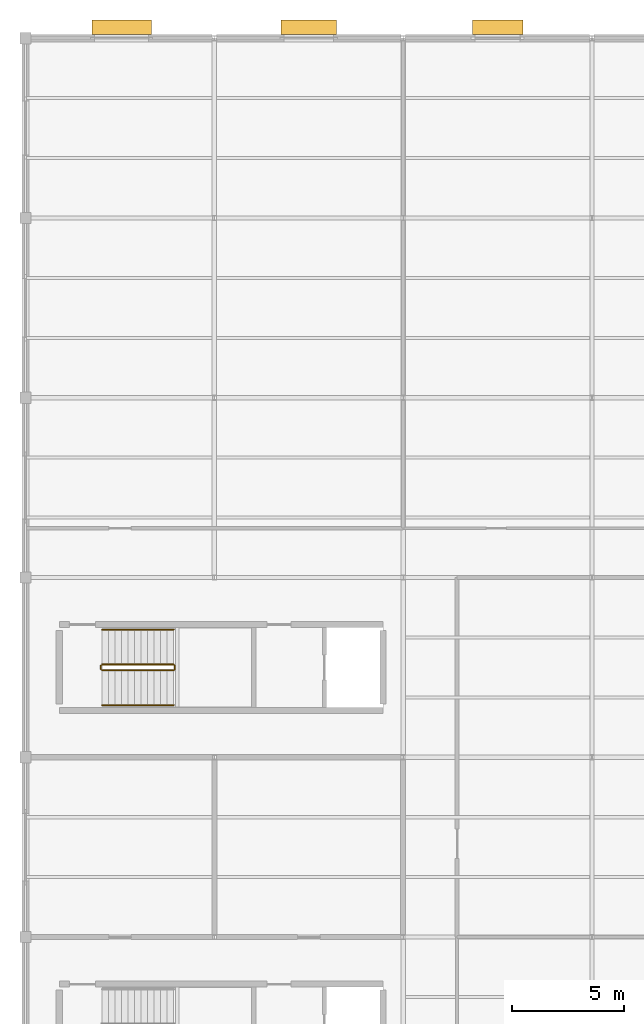
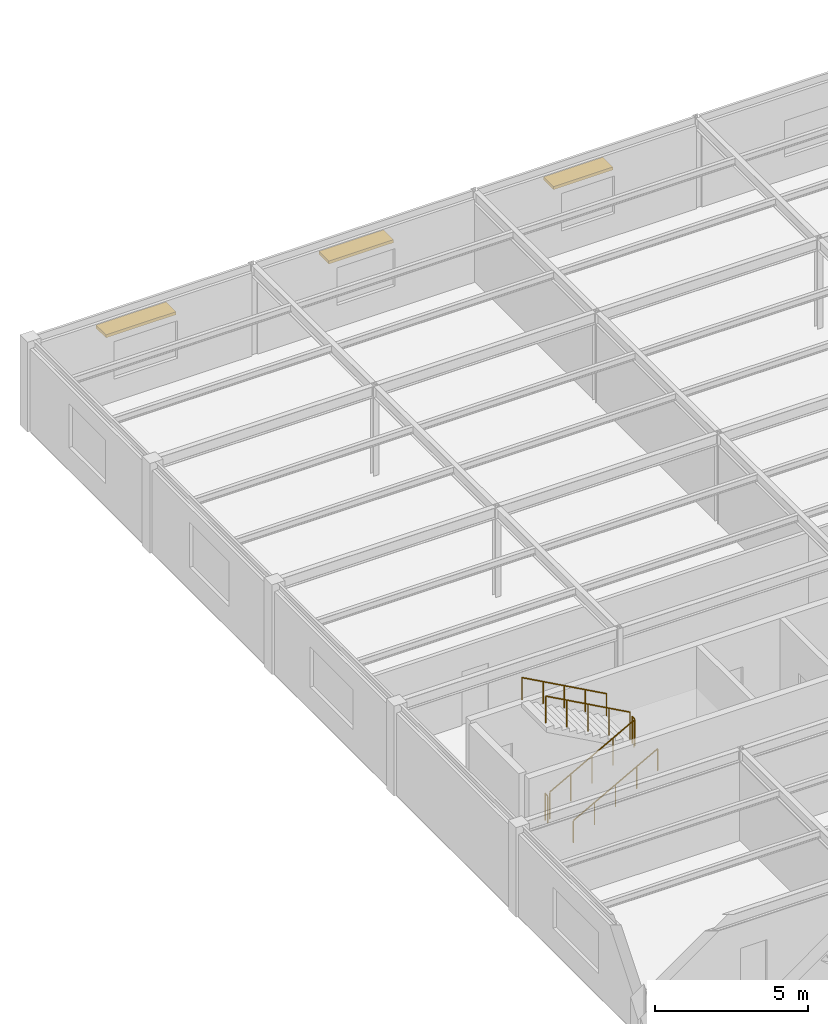
# One storey, part 31 of 32: 6 railings, 3 shading devices.
"""IFC4 building model written with IfcOpenShell, lengths in metres."""

from ifc_helpers import new_model, si_unit, direction, frame, origin, origin_2d, place, context, subcontext, project, spatial, rectangle, circle, extrude, material, type_object, element, save


model = new_model("IFC4")

# Units and contexts
model_context = context("Model", 3, precision=1e-05, world=origin(), true_north=direction((0.0, 1.0)))
body_context = subcontext(model_context, "Body", "Model", "MODEL_VIEW")
ifc_project = project(units=[si_unit("LENGTHUNIT", "METRE"), si_unit("AREAUNIT", "SQUARE_METRE"), si_unit("VOLUMEUNIT", "CUBIC_METRE"), si_unit("PLANEANGLEUNIT", "RADIAN"), si_unit("MASSUNIT", "GRAM", prefix="KILO")], contexts=[model_context])

# Site, building, storey
site_placement = place(None, origin())
site = spatial("IfcSite", under=ifc_project, at=site_placement, CompositionType="ELEMENT")
building_placement = place(site_placement, origin())
building = spatial("IfcBuilding", under=site, at=building_placement, Name="Kranzveld Transit Interchange", CompositionType="ELEMENT")
storey_placement = place(building_placement, frame((0.0, 0.0, 17.199951171875)))
storey = spatial("IfcBuildingStorey", under=building, at=storey_placement, Name="L04", CompositionType="ELEMENT", Elevation=17.199951171875)

# Shading devices
ifc_material_1 = material(Name="Bronze-anodised thermally broken aluminium", Category="aluminium")
shading_device_type = type_object("IfcShadingDeviceType", Name="North Overhang Solar Louvre Brise-Soleil", PredefinedType="JALOUSIE", material=ifc_material_1)
shading_device_1_placement = place(storey_placement, frame((4.2734375, 112.485107421875, 2.39990234375), z_axis=(0.0, 0.0, 1.0), x_axis=(1.0, 0.0, 0.0)))
element("IfcShadingDevice", 1, at=shading_device_1_placement, inside=storey, type_object=shading_device_type, Name="L04 North Solar Louvre 01/Q", PredefinedType="JALOUSIE", context=body_context, shape_type="SweptSolid", body=[
    extrude(rectangle(XDim=2.64990234375, YDim=0.64990234375, at=origin_2d()), origin(), (0.0, 0.0, 1.0), 0.1201171875),
])
shading_device_2_placement = place(storey_placement, frame((12.60009765625, 112.485107421875, 2.39990234375), z_axis=(0.0, 0.0, 1.0), x_axis=(1.0, 0.0, 0.0)))
element("IfcShadingDevice", 2, at=shading_device_2_placement, inside=storey, type_object=shading_device_type, Name="L04 North Solar Louvre 02/Q", PredefinedType="JALOUSIE", context=body_context, shape_type="SweptSolid", body=[
    extrude(rectangle(XDim=2.449951171875, YDim=0.64990234375, at=origin_2d()), origin(), (0.0, 0.0, 1.0), 0.1201171875),
])
shading_device_3_placement = place(storey_placement, frame((21.0, 112.485107421875, 2.39990234375), z_axis=(0.0, 0.0, 1.0), x_axis=(1.0, 0.0, 0.0)))
element("IfcShadingDevice", 3, at=shading_device_3_placement, inside=storey, type_object=shading_device_type, Name="L04 North Solar Louvre 03/Q", PredefinedType="JALOUSIE", context=body_context, shape_type="SweptSolid", body=[
    extrude(rectangle(XDim=2.25, YDim=0.64990234375, at=origin_2d()), origin(), (0.0, 0.0, 1.0), 0.1201171875),
])

# Railings
ifc_material_2 = material(Name="Steel S355JR", Category="steel")
railing_type_1 = type_object("IfcRailingType", Name="Stair & Ramp Handrail Steel 900", PredefinedType="HANDRAIL", material=ifc_material_2)
railing_1_placement = place(storey_placement, frame((3.39990234375, 82.320068359375, 0.16015625)))
element("IfcRailing", 4, at=railing_1_placement, inside=storey, type_object=railing_type_1, Name="L04 ST-C2 stair handrail 1", PredefinedType="HANDRAIL", context=body_context, shape_type="SweptSolid", body=[
    extrude(circle(Radius=0.02392578125, at=origin_2d()), frame((0.0, 0.0, 0.8759765625), z_axis=(0.875588434347, 0.0, 0.483057857443), x_axis=(0.0, 1.0, 0.0)), (0.0, 0.0, 1.0), 3.6435546875),
    extrude(circle(Radius=0.02099609375, at=origin_2d()), origin(), (0.0, 0.0, 1.0), 0.849853515625),
    extrude(circle(Radius=0.02099609375, at=origin_2d()), frame((0.797607421875, 0.0, 0.43994140625)), (0.0, 0.0, 1.0), 0.849853515625),
    extrude(circle(Radius=0.02099609375, at=origin_2d()), frame((1.59521484375, 0.0, 0.8798828125)), (0.0, 0.0, 1.0), 0.849853515625),
    extrude(circle(Radius=0.02099609375, at=origin_2d()), frame((2.392578125, 0.0, 1.320068359375)), (0.0, 0.0, 1.0), 0.849853515625),
    extrude(circle(Radius=0.02099609375, at=origin_2d()), frame((3.190185546875, 0.0, 1.760009765625)), (0.0, 0.0, 1.0), 0.849853515625),
])
railing_2_placement = place(storey_placement, frame((6.590087890625, 85.679931640625, 2.080078125)))
element("IfcRailing", 5, at=railing_2_placement, inside=storey, type_object=railing_type_1, Name="L04 ST-C2 stair handrail 2", PredefinedType="HANDRAIL", context=body_context, shape_type="SweptSolid", body=[
    extrude(circle(Radius=0.02392578125, at=origin_2d()), frame((0.0, 0.0, 0.8759765625), z_axis=(-0.875588434347, 0.0, 0.483057857443), x_axis=(0.0, -1.0, 0.0)), (0.0, 0.0, 1.0), 3.6435546875),
    extrude(circle(Radius=0.02099609375, at=origin_2d()), origin(), (0.0, 0.0, 1.0), 0.849853515625),
    extrude(circle(Radius=0.02099609375, at=origin_2d()), frame((-0.797607421875, 0.0, 0.43994140625)), (0.0, 0.0, 1.0), 0.849853515625),
    extrude(circle(Radius=0.02099609375, at=origin_2d()), frame((-1.59521484375, 0.0, 0.8798828125)), (0.0, 0.0, 1.0), 0.849853515625),
    extrude(circle(Radius=0.02099609375, at=origin_2d()), frame((-2.392578125, 0.0, 1.320068359375)), (0.0, 0.0, 1.0), 0.849853515625),
    extrude(circle(Radius=0.02099609375, at=origin_2d()), frame((-3.190185546875, 0.0, 1.760009765625)), (0.0, 0.0, 1.0), 0.849853515625),
])
ifc_material_3 = material(Name="Steel S355JR", Category="steel")
railing_type_2 = type_object("IfcRailingType", Name="Stair Well Guardrail Steel 1100", PredefinedType="GUARDRAIL", material=ifc_material_3)
railing_3_placement = place(storey_placement, frame((3.39990234375, 83.8701171875, 0.16015625)))
element("IfcRailing", 6, at=railing_3_placement, inside=storey, type_object=railing_type_2, Name="L04 ST-C2 stair guard 1", PredefinedType="GUARDRAIL", context=body_context, shape_type="SweptSolid", body=[
    extrude(circle(Radius=0.02392578125, at=origin_2d()), frame((0.0, 0.0, 1.076171875), z_axis=(0.875588434347, 0.0, 0.483057857443), x_axis=(0.0, 1.0, 0.0)), (0.0, 0.0, 1.0), 3.6435546875),
    extrude(circle(Radius=0.02099609375, at=origin_2d()), origin(), (0.0, 0.0, 1.0), 1.050048828125),
    extrude(circle(Radius=0.02099609375, at=origin_2d()), frame((0.797607421875, 0.0, 0.43994140625)), (0.0, 0.0, 1.0), 1.050048828125),
    extrude(circle(Radius=0.02099609375, at=origin_2d()), frame((1.59521484375, 0.0, 0.8798828125)), (0.0, 0.0, 1.0), 1.050048828125),
    extrude(circle(Radius=0.02099609375, at=origin_2d()), frame((2.392578125, 0.0, 1.320068359375)), (0.0, 0.0, 1.0), 1.050048828125),
    extrude(circle(Radius=0.02099609375, at=origin_2d()), frame((3.190185546875, 0.0, 1.760009765625)), (0.0, 0.0, 1.0), 1.050048828125),
])
railing_4_placement = place(storey_placement, frame((6.639892578125, 83.919921875, 1.920166015625)))
element("IfcRailing", 7, at=railing_4_placement, inside=storey, type_object=railing_type_2, Name="L04 ST-C2 stair guard 2", PredefinedType="GUARDRAIL", context=body_context, shape_type="SweptSolid", body=[
    extrude(circle(Radius=0.02392578125, at=origin_2d()), frame((0.0, 0.0, 1.076171875), z_axis=(0.0, 1.0, 0.0), x_axis=(-1.0, 0.0, 0.0)), (0.0, 0.0, 1.0), 0.16015625),
    extrude(circle(Radius=0.02099609375, at=origin_2d()), origin(), (0.0, 0.0, 1.0), 1.050048828125),
    extrude(circle(Radius=0.02099609375, at=origin_2d()), frame((0.0, 0.16015625, 0.0)), (0.0, 0.0, 1.0), 1.050048828125),
])
railing_5_placement = place(storey_placement, frame((6.590087890625, 84.1298828125, 2.080078125)))
element("IfcRailing", 8, at=railing_5_placement, inside=storey, type_object=railing_type_2, Name="L04 ST-C2 stair guard 3", PredefinedType="GUARDRAIL", context=body_context, shape_type="SweptSolid", body=[
    extrude(circle(Radius=0.02392578125, at=origin_2d()), frame((0.0, 0.0, 1.076171875), z_axis=(-0.875588434347, 0.0, 0.483057857443), x_axis=(0.0, -1.0, 0.0)), (0.0, 0.0, 1.0), 3.6435546875),
    extrude(circle(Radius=0.02099609375, at=origin_2d()), origin(), (0.0, 0.0, 1.0), 1.050048828125),
    extrude(circle(Radius=0.02099609375, at=origin_2d()), frame((-0.797607421875, 0.0, 0.43994140625)), (0.0, 0.0, 1.0), 1.050048828125),
    extrude(circle(Radius=0.02099609375, at=origin_2d()), frame((-1.59521484375, 0.0, 0.8798828125)), (0.0, 0.0, 1.0), 1.050048828125),
    extrude(circle(Radius=0.02099609375, at=origin_2d()), frame((-2.392578125, 0.0, 1.320068359375)), (0.0, 0.0, 1.0), 1.050048828125),
    extrude(circle(Radius=0.02099609375, at=origin_2d()), frame((-3.190185546875, 0.0, 1.760009765625)), (0.0, 0.0, 1.0), 1.050048828125),
])
railing_6_placement = place(storey_placement, frame((3.35009765625, 83.919921875, 0.0)))
element("IfcRailing", 9, at=railing_6_placement, inside=storey, type_object=railing_type_2, Name="L04 ST-C2 stair guard 4", PredefinedType="GUARDRAIL", context=body_context, shape_type="SweptSolid", body=[
    extrude(circle(Radius=0.02392578125, at=origin_2d()), frame((0.0, 0.0, 1.076171875), z_axis=(0.0, 1.0, 0.0), x_axis=(-1.0, 0.0, 0.0)), (0.0, 0.0, 1.0), 0.16015625),
    extrude(circle(Radius=0.02099609375, at=origin_2d()), origin(), (0.0, 0.0, 1.0), 1.050048828125),
    extrude(circle(Radius=0.02099609375, at=origin_2d()), frame((0.0, 0.16015625, 0.0)), (0.0, 0.0, 1.0), 1.050048828125),
])

save(model, "model.ifc")
